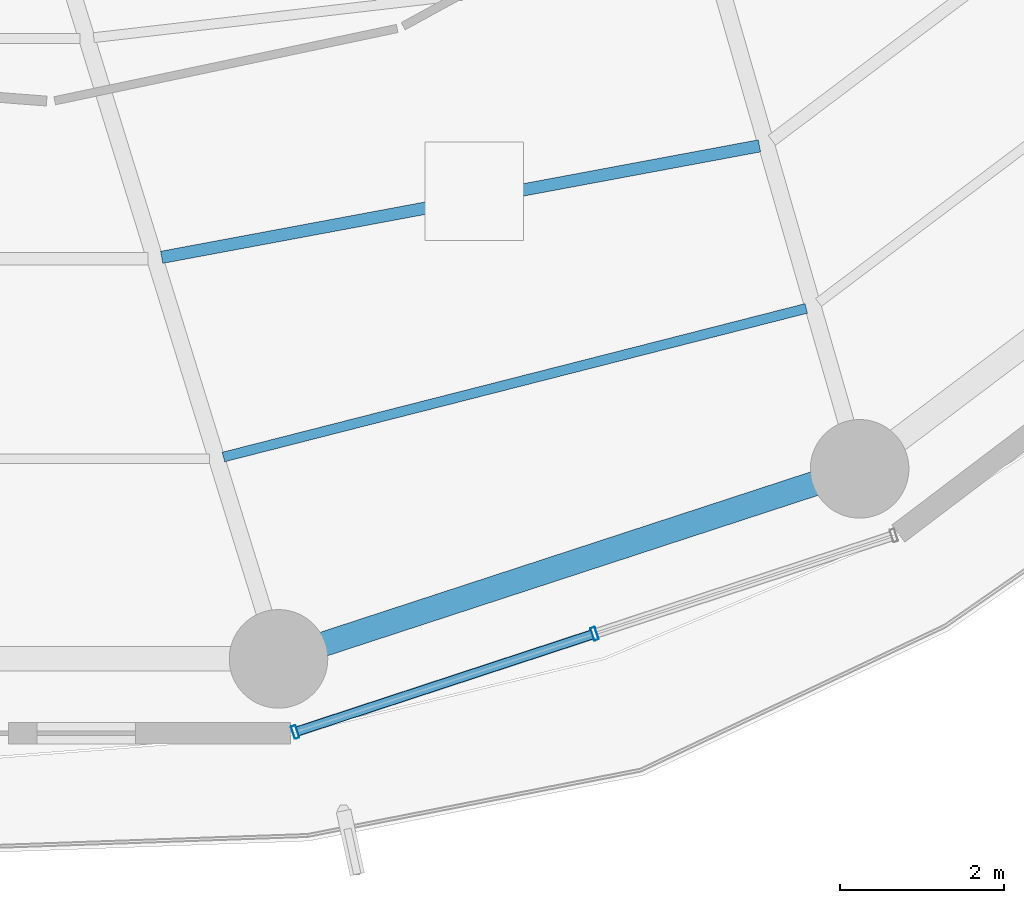
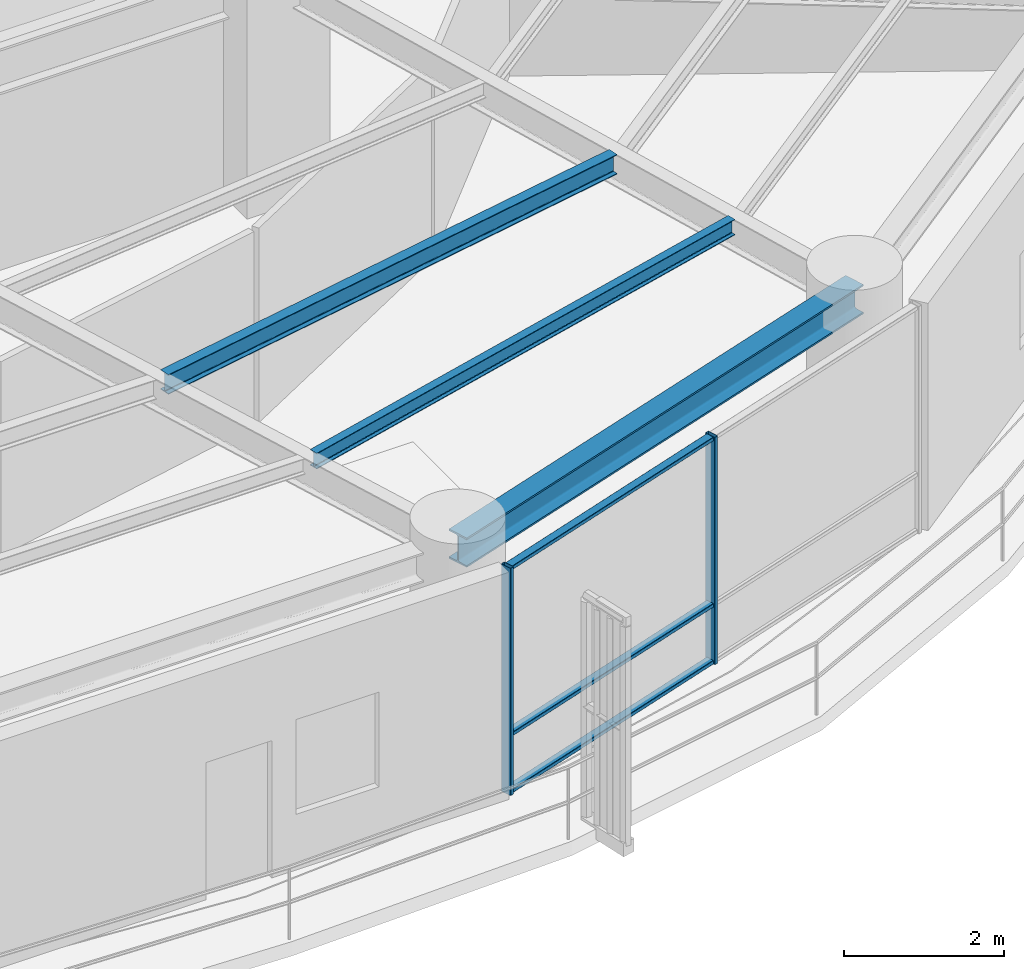
# One storey, part 4 of 28: 5 members, 3 beams, 1 element without a shape of its own.
"""IFC4 building model written with IfcOpenShell, lengths in metres."""

from ifc_helpers import new_model, si_unit, direction, frame, origin, origin_2d, place, context, subcontext, project, spatial, hollow_rectangle, i_section, extrude, material, layer, layer_set, material_profile, profile_set, type_object, element, aggregate, save


model = new_model("IFC4")

# Units and contexts
model_context = context("Model", 3, precision=1e-05, world=origin(), true_north=direction((0.0, 1.0)))
body_context = subcontext(model_context, "Body", "Model", "MODEL_VIEW")
ifc_project = project(units=[si_unit("LENGTHUNIT", "METRE"), si_unit("AREAUNIT", "SQUARE_METRE"), si_unit("VOLUMEUNIT", "CUBIC_METRE"), si_unit("PLANEANGLEUNIT", "RADIAN"), si_unit("MASSUNIT", "GRAM", prefix="KILO")], contexts=[model_context])

# Site, building, storey
site_placement = place(None, origin())
site = spatial("IfcSite", under=ifc_project, at=site_placement, CompositionType="ELEMENT")
building_placement = place(site_placement, origin())
building = spatial("IfcBuilding", under=site, at=building_placement, Name="Kelanora Arch Commons", CompositionType="ELEMENT")
storey_placement = place(building_placement, frame((0.0, 0.0, 139.35009765625)))
storey = spatial("IfcBuildingStorey", under=building, at=storey_placement, Name="L35", CompositionType="ELEMENT", Elevation=139.35009765625)

# Beams
ifc_material_1 = material(Name="Steel S355", Category="steel")
ifc_material_profile_1 = material_profile(ifc_material_1, i_section(OverallWidth=0.14990234375, OverallDepth=0.300048828125, WebThickness=0.007080078125, FlangeThickness=0.0107421875, FilletRadius=0.014892578125, at=origin_2d()), Name="IPE300")
ifc_profile_set_1 = profile_set([ifc_material_profile_1], Name="Steel S355")
beam_type_1 = type_object("IfcBeamType", Name="BM-JST-01", PredefinedType="JOIST", material=ifc_profile_set_1)
beam_1_placement = place(storey_placement, frame((76.34228515625, 43.705078125, 3.33984375), z_axis=(0.983054256126, 0.183314837134, 0.0), x_axis=(-0.183314837134, 0.983054256126, 0.0)))
element("IfcBeam", 1, at=beam_1_placement, inside=storey, type_object=beam_type_1, Name="Secondary Chord Joist BJB-28 L35", PredefinedType="JOIST", context=body_context, shape_type="SweptSolid", body=[
    extrude(i_section(OverallWidth=0.14990234375, OverallDepth=0.300048828125, WebThickness=0.007080078125, FlangeThickness=0.0107421875, FilletRadius=0.014892578125, at=origin_2d()), origin(), (0.0, 0.0, 1.0), 7.403564453125),
])
ifc_material_profile_2 = material_profile(ifc_material_1, i_section(OverallWidth=0.1201171875, OverallDepth=0.239990234375, WebThickness=0.006103515625, FlangeThickness=0.009765625, FilletRadius=0.014892578125, at=origin_2d()), Name="IPE240")
ifc_profile_set_2 = profile_set([ifc_material_profile_2], Name="Steel S355")
beam_type_2 = type_object("IfcBeamType", Name="BM-JST-02", PredefinedType="JOIST", material=ifc_profile_set_2)
beam_2_placement = place(storey_placement, frame((77.093994140625, 41.273681640625, 3.369873046875), z_axis=(0.96900232943, 0.247051584815, 0.0), x_axis=(-0.247051584815, 0.96900232943, 0.0)))
element("IfcBeam", 2, at=beam_2_placement, inside=storey, type_object=beam_type_2, Name="Secondary Chord Joist BJC-28 L35", PredefinedType="JOIST", context=body_context, shape_type="SweptSolid", body=[
    extrude(i_section(OverallWidth=0.1201171875, OverallDepth=0.239990234375, WebThickness=0.006103515625, FlangeThickness=0.009765625, FilletRadius=0.014892578125, at=origin_2d()), origin(), (0.0, 0.0, 1.0), 7.32275390625),
])
ifc_material_profile_3 = material_profile(ifc_material_1, i_section(OverallWidth=0.300048828125, OverallDepth=0.449951171875, WebThickness=0.013916015625, FlangeThickness=0.02587890625, FilletRadius=0.027099609375, at=origin_2d()), Name="HEB450")
ifc_profile_set_3 = profile_set([ifc_material_profile_3], Name="Steel S355")
beam_type_3 = type_object("IfcBeamType", Name="BM-SPN-Z3", PredefinedType="SPANDREL", material=ifc_profile_set_3)
beam_3_placement = place(storey_placement, frame((77.7646484375, 38.81591796875, 3.264892578125), z_axis=(0.950461975786, 0.310840847676, 0.0), x_axis=(-0.310840847676, 0.950461975786, 0.0)))
element("IfcBeam", 3, at=beam_3_placement, inside=storey, type_object=beam_type_3, Name="Perimeter Spandrel Beam BS-28 L35", PredefinedType="SPANDREL", context=body_context, shape_type="SweptSolid", body=[
    extrude(i_section(OverallWidth=0.300048828125, OverallDepth=0.449951171875, WebThickness=0.013916015625, FlangeThickness=0.02587890625, FilletRadius=0.027099609375, at=origin_2d()), origin(), (0.0, 0.0, 1.0), 7.444091796875),
])

# Curtain wall, members
ifc_material_2 = material(Name="Terracotta ceramic-fritted low-E glass and aluminium", Category="masonry")
ifc_layer = layer(ifc_material_2, 0.175048828125)
ifc_layer_set = layer_set([ifc_layer], Name="Terracotta ceramic-fritted low-E glass and aluminium")
curtain_wall_type = type_object("IfcCurtainWallType", Name="CW-SYS-02", PredefinedType="NOTDEFINED", material=ifc_layer_set)
curtain_wall_placement = place(storey_placement, origin())
curtain_wall = element("IfcCurtainWall", 4, at=curtain_wall_placement, inside=storey, type_object=curtain_wall_type, Name="Unitised Curtain Wall L35-B14", PredefinedType="NOTDEFINED")
ifc_material_3 = material(Name="Powder-coated aluminium terracotta", Category="masonry")
ifc_material_profile_4 = material_profile(ifc_material_3, hollow_rectangle(XDim=0.159912109375, YDim=0.06005859375, WallThickness=0.0048828125, InnerFilletRadius=0.0048828125, OuterFilletRadius=0.010009765625, at=origin_2d()), Name="CWM160x60")
ifc_profile_set_4 = profile_set([ifc_material_profile_4], Name="Powder-coated aluminium terracotta")
member_type_1 = type_object("IfcMemberType", Name="CWM-STD", PredefinedType="MULLION", material=ifc_profile_set_4)
member_1_placement = place(storey_placement, frame((77.96728515625, 37.924072265625, 0.0), z_axis=(0.0, 0.0, 1.0), x_axis=(-0.312128279571, 0.95003996605, 0.0)))
member_1 = element("IfcMember", 5, at=member_1_placement, type_object=member_type_1, Name="CW-02 mullion 1", PredefinedType="MULLION", context=body_context, shape_type="SweptSolid", body=[
    extrude(hollow_rectangle(XDim=0.159912109375, YDim=0.06005859375, WallThickness=0.0048828125, InnerFilletRadius=0.0048828125, OuterFilletRadius=0.010009765625, at=origin_2d()), origin(), (0.0, 0.0, 1.0), 3.474853515625),
])
member_2_placement = place(storey_placement, frame((81.6123046875, 39.12158203125, 0.0), z_axis=(0.0, 0.0, 1.0), x_axis=(-0.312128279571, 0.95003996605, 0.0)))
member_2 = element("IfcMember", 6, at=member_2_placement, type_object=member_type_1, Name="CW-02 mullion 2", PredefinedType="MULLION", context=body_context, shape_type="SweptSolid", body=[
    extrude(hollow_rectangle(XDim=0.159912109375, YDim=0.06005859375, WallThickness=0.0048828125, InnerFilletRadius=0.0048828125, OuterFilletRadius=0.010009765625, at=origin_2d()), origin(), (0.0, 0.0, 1.0), 3.474853515625),
])
ifc_material_profile_5 = material_profile(ifc_material_3, hollow_rectangle(XDim=0.1201171875, YDim=0.06005859375, WallThickness=0.0048828125, InnerFilletRadius=0.0048828125, OuterFilletRadius=0.010009765625, at=origin_2d()), Name="CWT120x60")
ifc_profile_set_5 = profile_set([ifc_material_profile_5], Name="Powder-coated aluminium terracotta")
member_type_2 = type_object("IfcMemberType", Name="CWT-STD", PredefinedType="USERDEFINED", material=ifc_profile_set_5)
member_3_placement = place(storey_placement, frame((77.99560546875, 37.933349609375, 0.02978515625), z_axis=(0.950051191155, 0.312094111104, 0.0), x_axis=(-0.312094111104, 0.950051191155, 0.0)))
member_3 = element("IfcMember", 7, at=member_3_placement, type_object=member_type_2, Name="CW-02 transom 1.1", ObjectType="TRANSOM", PredefinedType="USERDEFINED", context=body_context, shape_type="SweptSolid", body=[
    extrude(hollow_rectangle(XDim=0.1201171875, YDim=0.06005859375, WallThickness=0.0048828125, InnerFilletRadius=0.0048828125, OuterFilletRadius=0.010009765625, at=origin_2d()), origin(), (0.0, 0.0, 1.0), 3.77685546875),
])
member_4_placement = place(storey_placement, frame((77.99560546875, 37.933349609375, 0.89990234375), z_axis=(0.950051191155, 0.312094111104, 0.0), x_axis=(-0.312094111104, 0.950051191155, 0.0)))
member_4 = element("IfcMember", 8, at=member_4_placement, type_object=member_type_2, Name="CW-02 transom 1.2", ObjectType="TRANSOM", PredefinedType="USERDEFINED", context=body_context, shape_type="SweptSolid", body=[
    extrude(hollow_rectangle(XDim=0.1201171875, YDim=0.06005859375, WallThickness=0.0048828125, InnerFilletRadius=0.0048828125, OuterFilletRadius=0.010009765625, at=origin_2d()), origin(), (0.0, 0.0, 1.0), 3.77685546875),
])
member_5_placement = place(storey_placement, frame((77.99560546875, 37.933349609375, 3.44482421875), z_axis=(0.950051191155, 0.312094111104, 0.0), x_axis=(-0.312094111104, 0.950051191155, 0.0)))
member_5 = element("IfcMember", 9, at=member_5_placement, type_object=member_type_2, Name="CW-02 transom 1.3", ObjectType="TRANSOM", PredefinedType="USERDEFINED", context=body_context, shape_type="SweptSolid", body=[
    extrude(hollow_rectangle(XDim=0.1201171875, YDim=0.06005859375, WallThickness=0.0048828125, InnerFilletRadius=0.0048828125, OuterFilletRadius=0.010009765625, at=origin_2d()), origin(), (0.0, 0.0, 1.0), 3.77685546875),
])
aggregate(curtain_wall, [member_1, member_2, member_3, member_4, member_5])

save(model, "model.ifc")
